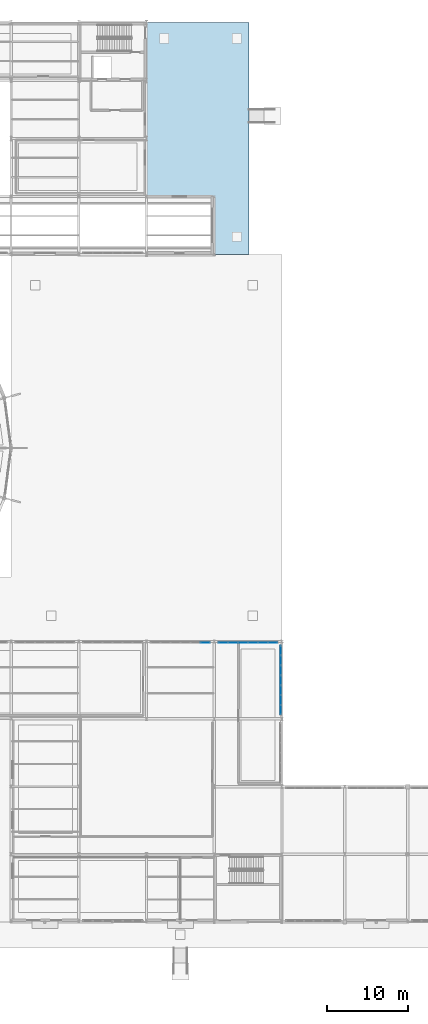
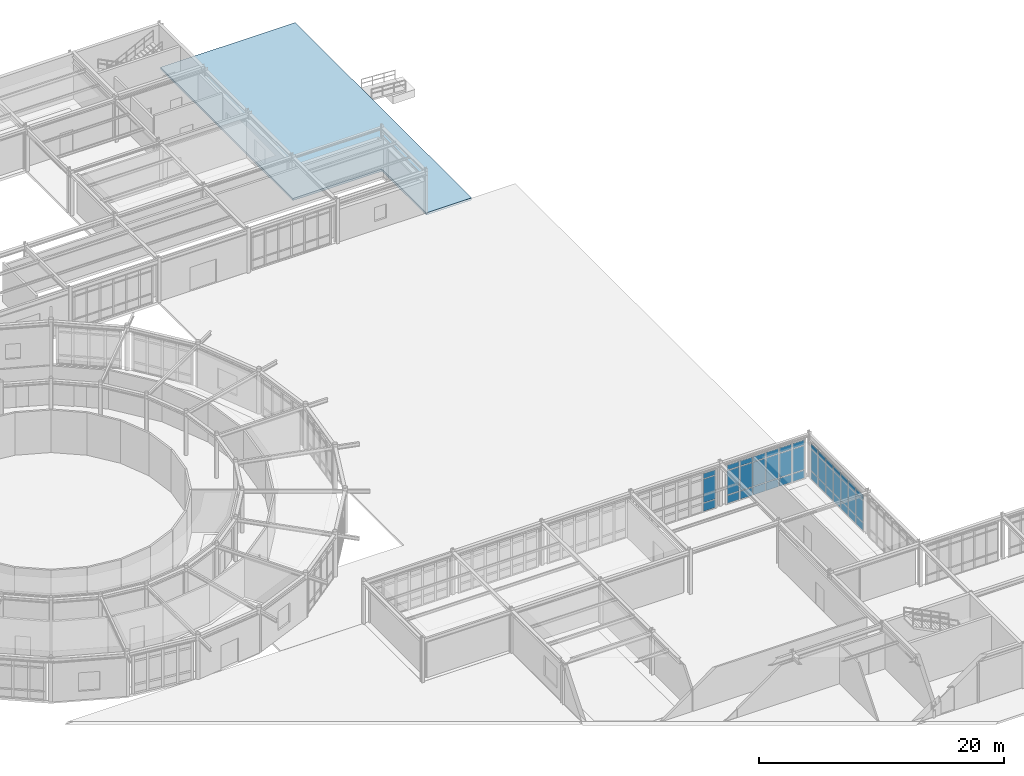
# One storey, part 73 of 101: 42 plates, 1 slab, 3 elements without a shape of their own.
"""IFC4 building model written with IfcOpenShell, lengths in metres."""

from ifc_helpers import new_model, si_unit, derived_unit, direction, frame, origin, origin_2d, place, context, subcontext, project, spatial, polyline, rectangle, outline, extrude, material, layer, layer_set, type_object, element, aggregate, save


model = new_model("IFC4")

# Units and contexts
model_context = context("Model", 3, precision=1e-05, world=origin(), true_north=direction((0.0, 1.0)))
body_context = subcontext(model_context, "Body", "Model", "MODEL_VIEW")
ifc_project = project(units=[si_unit("LENGTHUNIT", "METRE"), si_unit("AREAUNIT", "SQUARE_METRE"), si_unit("VOLUMEUNIT", "CUBIC_METRE"), si_unit("PLANEANGLEUNIT", "RADIAN"), si_unit("MASSUNIT", "GRAM", prefix="KILO"), derived_unit("THERMALTRANSMITTANCEUNIT", [(si_unit("POWERUNIT", "WATT"), 1), (si_unit("AREAUNIT", "SQUARE_METRE"), -1), (si_unit("THERMODYNAMICTEMPERATUREUNIT", "KELVIN"), -1)])], contexts=[model_context])

# Site, building, storey
site_placement = place(None, origin())
site = spatial("IfcSite", under=ifc_project, at=site_placement, CompositionType="ELEMENT")
building_placement = place(site_placement, origin())
building = spatial("IfcBuilding", under=site, at=building_placement, Name="Yasenodar Specialist Clinic", CompositionType="ELEMENT")
storey_placement = place(building_placement, origin())
storey = spatial("IfcBuildingStorey", under=building, at=storey_placement, Name="L00", CompositionType="ELEMENT", Elevation=0.0)

# Curtain wall, plates
ifc_material_1 = material(Name="Bronze Anodized Aluminium and Triple Low-E Glass", Category="aluminium")
ifc_layer_1 = layer(ifc_material_1, 0.178955078125)
ifc_layer_set_1 = layer_set([ifc_layer_1], Name="Bronze Anodized Aluminium and Triple Low-E Glass")
curtain_wall_type = type_object("IfcCurtainWallType", Name="CW-SYS-02", PredefinedType="USERDEFINED", material=ifc_layer_set_1)
curtain_wall_1_placement = place(storey_placement, origin())
curtain_wall_1 = element("IfcCurtainWall", 1, at=curtain_wall_1_placement, inside=storey, type_object=curtain_wall_type, Name="L00 Unitised Curtain Wall 084", ObjectType="UNITISED CURTAIN WALL", PredefinedType="USERDEFINED")
ifc_material_2 = material(Name="Triple Low-E Argon Glazing", Category="glass")
ifc_layer_2 = layer(ifc_material_2, 0.028076171875)
ifc_layer_set_2 = layer_set([ifc_layer_2], Name="Triple Low-E Argon Glazing")
plate_type_1 = type_object("IfcPlateType", Name="CW-PAN-1", PredefinedType="CURTAIN_PANEL", material=ifc_layer_set_2)
plate_1_placement = place(storey_placement, frame((129.08251953125, 34.64990234375, 0.070068359375), z_axis=(0.0, 0.0, 1.0), x_axis=(1.0, 0.0, 0.0)))
plate_1 = element("IfcPlate", 2, at=plate_1_placement, type_object=plate_type_1, Name="CW-02 panel 6.1", PredefinedType="CURTAIN_PANEL", context=body_context, shape_type="SweptSolid", body=[
    extrude(rectangle(XDim=1.135009765625, YDim=0.028076171875, at=origin_2d()), origin(), (0.0, 0.0, 1.0), 0.794921875),
])
plate_2_placement = place(storey_placement, frame((129.08251953125, 34.64990234375, 0.93505859375), z_axis=(0.0, 0.0, 1.0), x_axis=(1.0, 0.0, 0.0)))
plate_2 = element("IfcPlate", 3, at=plate_2_placement, type_object=plate_type_1, Name="CW-02 panel 6.2", PredefinedType="CURTAIN_PANEL", context=body_context, shape_type="SweptSolid", body=[
    extrude(rectangle(XDim=1.135009765625, YDim=0.028076171875, at=origin_2d()), origin(), (0.0, 0.0, 1.0), 2.327880859375),
])
plate_3_placement = place(storey_placement, frame((129.08251953125, 34.64990234375, 3.3330078125), z_axis=(0.0, 0.0, 1.0), x_axis=(1.0, 0.0, 0.0)))
plate_3 = element("IfcPlate", 4, at=plate_3_placement, type_object=plate_type_1, Name="CW-02 panel 6.3", PredefinedType="CURTAIN_PANEL", context=body_context, shape_type="SweptSolid", body=[
    extrude(rectangle(XDim=1.135009765625, YDim=0.028076171875, at=origin_2d()), origin(), (0.0, 0.0, 1.0), 0.4951171875),
])
aggregate(curtain_wall_1, [plate_1, plate_2, plate_3])

curtain_wall_2_placement = place(storey_placement, origin())
curtain_wall_2 = element("IfcCurtainWall", 5, at=curtain_wall_2_placement, inside=storey, type_object=curtain_wall_type, Name="L00 Unitised Curtain Wall 085", ObjectType="UNITISED CURTAIN WALL", PredefinedType="USERDEFINED")
ifc_layer_3 = layer(ifc_material_2, 0.033935546875)
ifc_layer_set_3 = layer_set([ifc_layer_3], Name="Triple Low-E Argon Glazing")
plate_type_2 = type_object("IfcPlateType", Name="CW-PAN-2", PredefinedType="CURTAIN_PANEL", material=ifc_layer_set_3)
plate_4_placement = place(storey_placement, frame((131.31884765625, 34.64990234375, 0.074951171875), z_axis=(0.0, 0.0, 1.0), x_axis=(1.0, 0.0, 0.0)))
plate_4 = element("IfcPlate", 6, at=plate_4_placement, type_object=plate_type_2, Name="CW-02 panel 1.1", PredefinedType="CURTAIN_PANEL", context=body_context, shape_type="SweptSolid", body=[
    extrude(rectangle(XDim=1.12744140625, YDim=0.033935546875, at=origin_2d()), origin(), (0.0, 0.0, 1.0), 0.78759765625),
])
plate_5_placement = place(storey_placement, frame((131.31884765625, 34.64990234375, 0.9375), z_axis=(0.0, 0.0, 1.0), x_axis=(1.0, 0.0, 0.0)))
plate_5 = element("IfcPlate", 7, at=plate_5_placement, type_object=plate_type_2, Name="CW-02 panel 1.2", PredefinedType="CURTAIN_PANEL", context=body_context, shape_type="SweptSolid", body=[
    extrude(rectangle(XDim=1.12744140625, YDim=0.033935546875, at=origin_2d()), origin(), (0.0, 0.0, 1.0), 2.383056640625),
])
plate_6_placement = place(storey_placement, frame((131.31884765625, 34.64990234375, 3.3955078125), z_axis=(0.0, 0.0, 1.0), x_axis=(1.0, 0.0, 0.0)))
plate_6 = element("IfcPlate", 8, at=plate_6_placement, type_object=plate_type_2, Name="CW-02 panel 1.3", PredefinedType="CURTAIN_PANEL", context=body_context, shape_type="SweptSolid", body=[
    extrude(rectangle(XDim=1.12744140625, YDim=0.033935546875, at=origin_2d()), origin(), (0.0, 0.0, 1.0), 0.487548828125),
])
plate_7_placement = place(storey_placement, frame((132.5400390625, 34.64990234375, 0.074951171875), z_axis=(0.0, 0.0, 1.0), x_axis=(1.0, 0.0, 0.0)))
plate_7 = element("IfcPlate", 9, at=plate_7_placement, type_object=plate_type_2, Name="CW-02 panel 2.1", PredefinedType="CURTAIN_PANEL", context=body_context, shape_type="SweptSolid", body=[
    extrude(rectangle(XDim=1.1650390625, YDim=0.033935546875, at=origin_2d()), origin(), (0.0, 0.0, 1.0), 0.78759765625),
])
plate_8_placement = place(storey_placement, frame((132.5400390625, 34.64990234375, 0.9375), z_axis=(0.0, 0.0, 1.0), x_axis=(1.0, 0.0, 0.0)))
plate_8 = element("IfcPlate", 10, at=plate_8_placement, type_object=plate_type_2, Name="CW-02 panel 2.2", PredefinedType="CURTAIN_PANEL", context=body_context, shape_type="SweptSolid", body=[
    extrude(rectangle(XDim=1.1650390625, YDim=0.033935546875, at=origin_2d()), origin(), (0.0, 0.0, 1.0), 2.383056640625),
])
plate_9_placement = place(storey_placement, frame((132.5400390625, 34.64990234375, 3.3955078125), z_axis=(0.0, 0.0, 1.0), x_axis=(1.0, 0.0, 0.0)))
plate_9 = element("IfcPlate", 11, at=plate_9_placement, type_object=plate_type_2, Name="CW-02 panel 2.3", PredefinedType="CURTAIN_PANEL", context=body_context, shape_type="SweptSolid", body=[
    extrude(rectangle(XDim=1.1650390625, YDim=0.033935546875, at=origin_2d()), origin(), (0.0, 0.0, 1.0), 0.487548828125),
])
plate_10_placement = place(storey_placement, frame((133.780029296875, 34.64990234375, 0.074951171875), z_axis=(0.0, 0.0, 1.0), x_axis=(1.0, 0.0, 0.0)))
plate_10 = element("IfcPlate", 12, at=plate_10_placement, type_object=plate_type_2, Name="CW-02 panel 3.1", PredefinedType="CURTAIN_PANEL", context=body_context, shape_type="SweptSolid", body=[
    extrude(rectangle(XDim=1.1650390625, YDim=0.033935546875, at=origin_2d()), origin(), (0.0, 0.0, 1.0), 0.78759765625),
])
plate_11_placement = place(storey_placement, frame((133.780029296875, 34.64990234375, 0.9375), z_axis=(0.0, 0.0, 1.0), x_axis=(1.0, 0.0, 0.0)))
plate_11 = element("IfcPlate", 13, at=plate_11_placement, type_object=plate_type_2, Name="CW-02 panel 3.2", PredefinedType="CURTAIN_PANEL", context=body_context, shape_type="SweptSolid", body=[
    extrude(rectangle(XDim=1.1650390625, YDim=0.033935546875, at=origin_2d()), origin(), (0.0, 0.0, 1.0), 2.383056640625),
])
plate_12_placement = place(storey_placement, frame((133.780029296875, 34.64990234375, 3.3955078125), z_axis=(0.0, 0.0, 1.0), x_axis=(1.0, 0.0, 0.0)))
plate_12 = element("IfcPlate", 14, at=plate_12_placement, type_object=plate_type_2, Name="CW-02 panel 3.3", PredefinedType="CURTAIN_PANEL", context=body_context, shape_type="SweptSolid", body=[
    extrude(rectangle(XDim=1.1650390625, YDim=0.033935546875, at=origin_2d()), origin(), (0.0, 0.0, 1.0), 0.487548828125),
])
plate_13_placement = place(storey_placement, frame((135.02001953125, 34.64990234375, 0.074951171875), z_axis=(0.0, 0.0, 1.0), x_axis=(1.0, 0.0, 0.0)))
plate_13 = element("IfcPlate", 15, at=plate_13_placement, type_object=plate_type_2, Name="CW-02 panel 4.1", PredefinedType="CURTAIN_PANEL", context=body_context, shape_type="SweptSolid", body=[
    extrude(rectangle(XDim=1.1650390625, YDim=0.033935546875, at=origin_2d()), origin(), (0.0, 0.0, 1.0), 0.78759765625),
])
plate_14_placement = place(storey_placement, frame((135.02001953125, 34.64990234375, 0.9375), z_axis=(0.0, 0.0, 1.0), x_axis=(1.0, 0.0, 0.0)))
plate_14 = element("IfcPlate", 16, at=plate_14_placement, type_object=plate_type_2, Name="CW-02 panel 4.2", PredefinedType="CURTAIN_PANEL", context=body_context, shape_type="SweptSolid", body=[
    extrude(rectangle(XDim=1.1650390625, YDim=0.033935546875, at=origin_2d()), origin(), (0.0, 0.0, 1.0), 2.383056640625),
])
plate_15_placement = place(storey_placement, frame((135.02001953125, 34.64990234375, 3.3955078125), z_axis=(0.0, 0.0, 1.0), x_axis=(1.0, 0.0, 0.0)))
plate_15 = element("IfcPlate", 17, at=plate_15_placement, type_object=plate_type_2, Name="CW-02 panel 4.3", PredefinedType="CURTAIN_PANEL", context=body_context, shape_type="SweptSolid", body=[
    extrude(rectangle(XDim=1.1650390625, YDim=0.033935546875, at=origin_2d()), origin(), (0.0, 0.0, 1.0), 0.487548828125),
])
plate_16_placement = place(storey_placement, frame((136.260009765625, 34.64990234375, 0.074951171875), z_axis=(0.0, 0.0, 1.0), x_axis=(1.0, 0.0, 0.0)))
plate_16 = element("IfcPlate", 18, at=plate_16_placement, type_object=plate_type_2, Name="CW-02 panel 5.1", PredefinedType="CURTAIN_PANEL", context=body_context, shape_type="SweptSolid", body=[
    extrude(rectangle(XDim=1.1650390625, YDim=0.033935546875, at=origin_2d()), origin(), (0.0, 0.0, 1.0), 0.78759765625),
])
plate_17_placement = place(storey_placement, frame((136.260009765625, 34.64990234375, 0.9375), z_axis=(0.0, 0.0, 1.0), x_axis=(1.0, 0.0, 0.0)))
plate_17 = element("IfcPlate", 19, at=plate_17_placement, type_object=plate_type_2, Name="CW-02 panel 5.2", PredefinedType="CURTAIN_PANEL", context=body_context, shape_type="SweptSolid", body=[
    extrude(rectangle(XDim=1.1650390625, YDim=0.033935546875, at=origin_2d()), origin(), (0.0, 0.0, 1.0), 2.383056640625),
])
plate_18_placement = place(storey_placement, frame((136.260009765625, 34.64990234375, 3.3955078125), z_axis=(0.0, 0.0, 1.0), x_axis=(1.0, 0.0, 0.0)))
plate_18 = element("IfcPlate", 20, at=plate_18_placement, type_object=plate_type_2, Name="CW-02 panel 5.3", PredefinedType="CURTAIN_PANEL", context=body_context, shape_type="SweptSolid", body=[
    extrude(rectangle(XDim=1.1650390625, YDim=0.033935546875, at=origin_2d()), origin(), (0.0, 0.0, 1.0), 0.487548828125),
])
plate_19_placement = place(storey_placement, frame((137.481201171875, 34.64990234375, 0.074951171875), z_axis=(0.0, 0.0, 1.0), x_axis=(1.0, 0.0, 0.0)))
plate_19 = element("IfcPlate", 21, at=plate_19_placement, type_object=plate_type_2, Name="CW-02 panel 6.1", PredefinedType="CURTAIN_PANEL", context=body_context, shape_type="SweptSolid", body=[
    extrude(rectangle(XDim=1.12744140625, YDim=0.033935546875, at=origin_2d()), origin(), (0.0, 0.0, 1.0), 0.78759765625),
])
plate_20_placement = place(storey_placement, frame((137.481201171875, 34.64990234375, 0.9375), z_axis=(0.0, 0.0, 1.0), x_axis=(1.0, 0.0, 0.0)))
plate_20 = element("IfcPlate", 22, at=plate_20_placement, type_object=plate_type_2, Name="CW-02 panel 6.2", PredefinedType="CURTAIN_PANEL", context=body_context, shape_type="SweptSolid", body=[
    extrude(rectangle(XDim=1.12744140625, YDim=0.033935546875, at=origin_2d()), origin(), (0.0, 0.0, 1.0), 2.383056640625),
])
plate_21_placement = place(storey_placement, frame((137.481201171875, 34.64990234375, 3.3955078125), z_axis=(0.0, 0.0, 1.0), x_axis=(1.0, 0.0, 0.0)))
plate_21 = element("IfcPlate", 23, at=plate_21_placement, type_object=plate_type_2, Name="CW-02 panel 6.3", PredefinedType="CURTAIN_PANEL", context=body_context, shape_type="SweptSolid", body=[
    extrude(rectangle(XDim=1.12744140625, YDim=0.033935546875, at=origin_2d()), origin(), (0.0, 0.0, 1.0), 0.487548828125),
])
aggregate(curtain_wall_2, [plate_4, plate_5, plate_6, plate_7, plate_8, plate_9, plate_10, plate_11, plate_12, plate_13, plate_14, plate_15, plate_16, plate_17, plate_18, plate_19, plate_20, plate_21])

curtain_wall_3_placement = place(storey_placement, origin())
curtain_wall_3 = element("IfcCurtainWall", 24, at=curtain_wall_3_placement, inside=storey, type_object=curtain_wall_type, Name="L00 Unitised Curtain Wall 090", ObjectType="UNITISED CURTAIN WALL", PredefinedType="USERDEFINED")
ifc_layer_4 = layer(ifc_material_2, 0.0400390625)
ifc_layer_set_4 = layer_set([ifc_layer_4], Name="Triple Low-E Argon Glazing")
plate_type_3 = type_object("IfcPlateType", Name="CW-PAN-3", PredefinedType="CURTAIN_PANEL", material=ifc_layer_set_4)
plate_22_placement = place(storey_placement, frame((138.449951171875, 33.68408203125, 0.074951171875), z_axis=(0.0, 0.0, 1.0), x_axis=(0.0, -1.0, 0.0)))
plate_22 = element("IfcPlate", 25, at=plate_22_placement, type_object=plate_type_3, Name="CW-02 panel 1.1", PredefinedType="CURTAIN_PANEL", context=body_context, shape_type="SweptSolid", body=[
    extrude(rectangle(XDim=1.121826171875, YDim=0.0400390625, at=origin_2d()), origin(), (0.0, 0.0, 1.0), 0.78759765625),
])
plate_23_placement = place(storey_placement, frame((138.449951171875, 33.68408203125, 0.9375), z_axis=(0.0, 0.0, 1.0), x_axis=(0.0, -1.0, 0.0)))
plate_23 = element("IfcPlate", 26, at=plate_23_placement, type_object=plate_type_3, Name="CW-02 panel 1.2", PredefinedType="CURTAIN_PANEL", context=body_context, shape_type="SweptSolid", body=[
    extrude(rectangle(XDim=1.121826171875, YDim=0.0400390625, at=origin_2d()), origin(), (0.0, 0.0, 1.0), 2.10302734375),
])
plate_24_placement = place(storey_placement, frame((138.449951171875, 33.68408203125, 3.115234375), z_axis=(0.0, 0.0, 1.0), x_axis=(0.0, -1.0, 0.0)))
plate_24 = element("IfcPlate", 27, at=plate_24_placement, type_object=plate_type_3, Name="CW-02 panel 1.3", PredefinedType="CURTAIN_PANEL", context=body_context, shape_type="SweptSolid", body=[
    extrude(rectangle(XDim=1.121826171875, YDim=0.0400390625, at=origin_2d()), origin(), (0.0, 0.0, 1.0), 0.487548828125),
])
plate_25_placement = place(storey_placement, frame((138.449951171875, 32.468505859375, 0.074951171875), z_axis=(0.0, 0.0, 1.0), x_axis=(0.0, -1.0, 0.0)))
plate_25 = element("IfcPlate", 28, at=plate_25_placement, type_object=plate_type_3, Name="CW-02 panel 2.1", PredefinedType="CURTAIN_PANEL", context=body_context, shape_type="SweptSolid", body=[
    extrude(rectangle(XDim=1.1591796875, YDim=0.0400390625, at=origin_2d()), origin(), (0.0, 0.0, 1.0), 0.78759765625),
])
plate_26_placement = place(storey_placement, frame((138.449951171875, 32.468505859375, 0.9375), z_axis=(0.0, 0.0, 1.0), x_axis=(0.0, -1.0, 0.0)))
plate_26 = element("IfcPlate", 29, at=plate_26_placement, type_object=plate_type_3, Name="CW-02 panel 2.2", PredefinedType="CURTAIN_PANEL", context=body_context, shape_type="SweptSolid", body=[
    extrude(rectangle(XDim=1.1591796875, YDim=0.0400390625, at=origin_2d()), origin(), (0.0, 0.0, 1.0), 2.10302734375),
])
plate_27_placement = place(storey_placement, frame((138.449951171875, 32.468505859375, 3.115234375), z_axis=(0.0, 0.0, 1.0), x_axis=(0.0, -1.0, 0.0)))
plate_27 = element("IfcPlate", 30, at=plate_27_placement, type_object=plate_type_3, Name="CW-02 panel 2.3", PredefinedType="CURTAIN_PANEL", context=body_context, shape_type="SweptSolid", body=[
    extrude(rectangle(XDim=1.1591796875, YDim=0.0400390625, at=origin_2d()), origin(), (0.0, 0.0, 1.0), 0.487548828125),
])
plate_28_placement = place(storey_placement, frame((138.449951171875, 31.234375, 0.074951171875), z_axis=(0.0, 0.0, 1.0), x_axis=(0.0, -1.0, 0.0)))
plate_28 = element("IfcPlate", 31, at=plate_28_placement, type_object=plate_type_3, Name="CW-02 panel 3.1", PredefinedType="CURTAIN_PANEL", context=body_context, shape_type="SweptSolid", body=[
    extrude(rectangle(XDim=1.1591796875, YDim=0.0400390625, at=origin_2d()), origin(), (0.0, 0.0, 1.0), 0.78759765625),
])
plate_29_placement = place(storey_placement, frame((138.449951171875, 31.234375, 0.9375), z_axis=(0.0, 0.0, 1.0), x_axis=(0.0, -1.0, 0.0)))
plate_29 = element("IfcPlate", 32, at=plate_29_placement, type_object=plate_type_3, Name="CW-02 panel 3.2", PredefinedType="CURTAIN_PANEL", context=body_context, shape_type="SweptSolid", body=[
    extrude(rectangle(XDim=1.1591796875, YDim=0.0400390625, at=origin_2d()), origin(), (0.0, 0.0, 1.0), 2.10302734375),
])
plate_30_placement = place(storey_placement, frame((138.449951171875, 31.234375, 3.115234375), z_axis=(0.0, 0.0, 1.0), x_axis=(0.0, -1.0, 0.0)))
plate_30 = element("IfcPlate", 33, at=plate_30_placement, type_object=plate_type_3, Name="CW-02 panel 3.3", PredefinedType="CURTAIN_PANEL", context=body_context, shape_type="SweptSolid", body=[
    extrude(rectangle(XDim=1.1591796875, YDim=0.0400390625, at=origin_2d()), origin(), (0.0, 0.0, 1.0), 0.487548828125),
])
plate_31_placement = place(storey_placement, frame((138.449951171875, 30.0, 0.074951171875), z_axis=(0.0, 0.0, 1.0), x_axis=(0.0, -1.0, 0.0)))
plate_31 = element("IfcPlate", 34, at=plate_31_placement, type_object=plate_type_3, Name="CW-02 panel 4.1", PredefinedType="CURTAIN_PANEL", context=body_context, shape_type="SweptSolid", body=[
    extrude(rectangle(XDim=1.1591796875, YDim=0.0400390625, at=origin_2d()), origin(), (0.0, 0.0, 1.0), 0.78759765625),
])
plate_32_placement = place(storey_placement, frame((138.449951171875, 30.0, 0.9375), z_axis=(0.0, 0.0, 1.0), x_axis=(0.0, -1.0, 0.0)))
plate_32 = element("IfcPlate", 35, at=plate_32_placement, type_object=plate_type_3, Name="CW-02 panel 4.2", PredefinedType="CURTAIN_PANEL", context=body_context, shape_type="SweptSolid", body=[
    extrude(rectangle(XDim=1.1591796875, YDim=0.0400390625, at=origin_2d()), origin(), (0.0, 0.0, 1.0), 2.10302734375),
])
plate_33_placement = place(storey_placement, frame((138.449951171875, 30.0, 3.115234375), z_axis=(0.0, 0.0, 1.0), x_axis=(0.0, -1.0, 0.0)))
plate_33 = element("IfcPlate", 36, at=plate_33_placement, type_object=plate_type_3, Name="CW-02 panel 4.3", PredefinedType="CURTAIN_PANEL", context=body_context, shape_type="SweptSolid", body=[
    extrude(rectangle(XDim=1.1591796875, YDim=0.0400390625, at=origin_2d()), origin(), (0.0, 0.0, 1.0), 0.487548828125),
])
plate_34_placement = place(storey_placement, frame((138.449951171875, 28.765625, 0.074951171875), z_axis=(0.0, 0.0, 1.0), x_axis=(0.0, -1.0, 0.0)))
plate_34 = element("IfcPlate", 37, at=plate_34_placement, type_object=plate_type_3, Name="CW-02 panel 5.1", PredefinedType="CURTAIN_PANEL", context=body_context, shape_type="SweptSolid", body=[
    extrude(rectangle(XDim=1.1591796875, YDim=0.0400390625, at=origin_2d()), origin(), (0.0, 0.0, 1.0), 0.78759765625),
])
plate_35_placement = place(storey_placement, frame((138.449951171875, 28.765625, 0.9375), z_axis=(0.0, 0.0, 1.0), x_axis=(0.0, -1.0, 0.0)))
plate_35 = element("IfcPlate", 38, at=plate_35_placement, type_object=plate_type_3, Name="CW-02 panel 5.2", PredefinedType="CURTAIN_PANEL", context=body_context, shape_type="SweptSolid", body=[
    extrude(rectangle(XDim=1.1591796875, YDim=0.0400390625, at=origin_2d()), origin(), (0.0, 0.0, 1.0), 2.10302734375),
])
plate_36_placement = place(storey_placement, frame((138.449951171875, 28.765625, 3.115234375), z_axis=(0.0, 0.0, 1.0), x_axis=(0.0, -1.0, 0.0)))
plate_36 = element("IfcPlate", 39, at=plate_36_placement, type_object=plate_type_3, Name="CW-02 panel 5.3", PredefinedType="CURTAIN_PANEL", context=body_context, shape_type="SweptSolid", body=[
    extrude(rectangle(XDim=1.1591796875, YDim=0.0400390625, at=origin_2d()), origin(), (0.0, 0.0, 1.0), 0.487548828125),
])
plate_37_placement = place(storey_placement, frame((138.449951171875, 27.531494140625, 0.074951171875), z_axis=(0.0, 0.0, 1.0), x_axis=(0.0, -1.0, 0.0)))
plate_37 = element("IfcPlate", 40, at=plate_37_placement, type_object=plate_type_3, Name="CW-02 panel 6.1", PredefinedType="CURTAIN_PANEL", context=body_context, shape_type="SweptSolid", body=[
    extrude(rectangle(XDim=1.1591796875, YDim=0.0400390625, at=origin_2d()), origin(), (0.0, 0.0, 1.0), 0.78759765625),
])
plate_38_placement = place(storey_placement, frame((138.449951171875, 27.531494140625, 0.9375), z_axis=(0.0, 0.0, 1.0), x_axis=(0.0, -1.0, 0.0)))
plate_38 = element("IfcPlate", 41, at=plate_38_placement, type_object=plate_type_3, Name="CW-02 panel 6.2", PredefinedType="CURTAIN_PANEL", context=body_context, shape_type="SweptSolid", body=[
    extrude(rectangle(XDim=1.1591796875, YDim=0.0400390625, at=origin_2d()), origin(), (0.0, 0.0, 1.0), 2.10302734375),
])
plate_39_placement = place(storey_placement, frame((138.449951171875, 27.531494140625, 3.115234375), z_axis=(0.0, 0.0, 1.0), x_axis=(0.0, -1.0, 0.0)))
plate_39 = element("IfcPlate", 42, at=plate_39_placement, type_object=plate_type_3, Name="CW-02 panel 6.3", PredefinedType="CURTAIN_PANEL", context=body_context, shape_type="SweptSolid", body=[
    extrude(rectangle(XDim=1.1591796875, YDim=0.0400390625, at=origin_2d()), origin(), (0.0, 0.0, 1.0), 0.487548828125),
])
plate_40_placement = place(storey_placement, frame((138.449951171875, 26.31591796875, 0.074951171875), z_axis=(0.0, 0.0, 1.0), x_axis=(0.0, -1.0, 0.0)))
plate_40 = element("IfcPlate", 43, at=plate_40_placement, type_object=plate_type_3, Name="CW-02 panel 7.1", PredefinedType="CURTAIN_PANEL", context=body_context, shape_type="SweptSolid", body=[
    extrude(rectangle(XDim=1.121826171875, YDim=0.0400390625, at=origin_2d()), origin(), (0.0, 0.0, 1.0), 0.78759765625),
])
plate_41_placement = place(storey_placement, frame((138.449951171875, 26.31591796875, 0.9375), z_axis=(0.0, 0.0, 1.0), x_axis=(0.0, -1.0, 0.0)))
plate_41 = element("IfcPlate", 44, at=plate_41_placement, type_object=plate_type_3, Name="CW-02 panel 7.2", PredefinedType="CURTAIN_PANEL", context=body_context, shape_type="SweptSolid", body=[
    extrude(rectangle(XDim=1.121826171875, YDim=0.0400390625, at=origin_2d()), origin(), (0.0, 0.0, 1.0), 2.10302734375),
])
plate_42_placement = place(storey_placement, frame((138.449951171875, 26.31591796875, 3.115234375), z_axis=(0.0, 0.0, 1.0), x_axis=(0.0, -1.0, 0.0)))
plate_42 = element("IfcPlate", 45, at=plate_42_placement, type_object=plate_type_3, Name="CW-02 panel 7.3", PredefinedType="CURTAIN_PANEL", context=body_context, shape_type="SweptSolid", body=[
    extrude(rectangle(XDim=1.121826171875, YDim=0.0400390625, at=origin_2d()), origin(), (0.0, 0.0, 1.0), 0.487548828125),
])
aggregate(curtain_wall_3, [plate_22, plate_23, plate_24, plate_25, plate_26, plate_27, plate_28, plate_29, plate_30, plate_31, plate_32, plate_33, plate_34, plate_35, plate_36, plate_37, plate_38, plate_39, plate_40, plate_41, plate_42])

# Slab
ifc_material_3 = material(Name="Concrete C30/37", Category="concrete")
ifc_layer_5 = layer(ifc_material_3, 0.2099609375)
ifc_layer_set_5 = layer_set([ifc_layer_5], Name="Concrete C30/37")
slab_type = type_object("IfcSlabType", Name="SLB-APRON-210", PredefinedType="FLOOR", material=ifc_layer_set_5)
slab_placement = place(storey_placement, frame((0.0, 0.0, -0.2099609375)))
element("IfcSlab", 46, at=slab_placement, inside=storey, type_object=slab_type, Name="East Service Driveway and Garden Exit Apron", PredefinedType="FLOOR", context=body_context, shape_type="SweptSolid", body=[
    extrude(outline(polyline([(134.5, 111.60009765625), (134.5, 82.800048828125), (130.215087890625, 82.800048828125), (130.215087890625, 90.014892578125), (121.81494140625, 90.014892578125), (121.81494140625, 111.60009765625), (134.5, 111.60009765625)])), origin(), (0.0, 0.0, 1.0), 0.2099609375),
])

save(model, "model.ifc")
